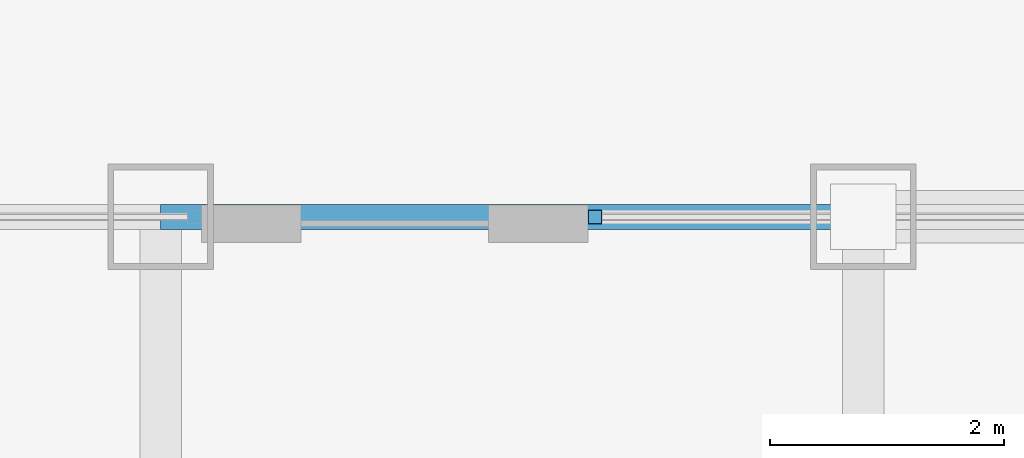
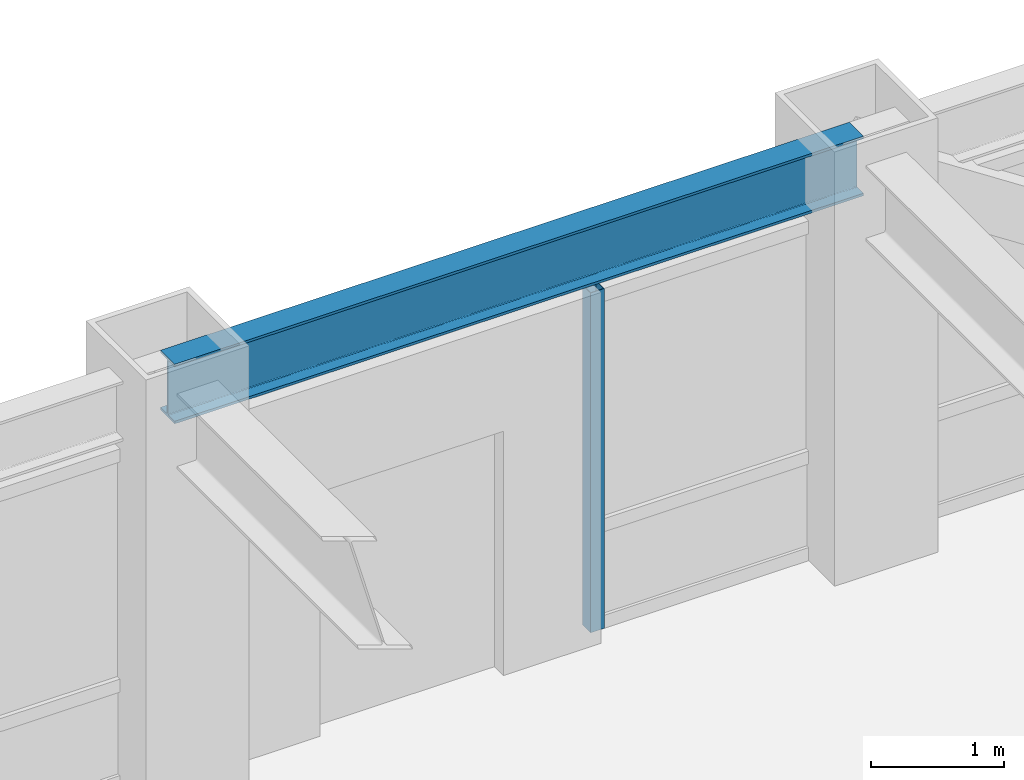
# One storey, part 20 of 32: 1 beam, 1 member, 1 element without a shape of its own.
"""IFC4 building model written with IfcOpenShell, lengths in metres."""

from ifc_helpers import new_model, si_unit, direction, frame, origin, origin_2d, place, context, subcontext, project, spatial, hollow_rectangle, i_section, extrude, source, transform, mapped, material, material_profile, profile_set, type_object, element, aggregate, save


model = new_model("IFC4")

# Units and contexts
model_context = context("Model", 3, precision=1e-05, world=origin(), true_north=direction((0.0, 1.0)))
body_context = subcontext(model_context, "Body", "Model", "MODEL_VIEW")
ifc_project = project(units=[si_unit("LENGTHUNIT", "METRE"), si_unit("AREAUNIT", "SQUARE_METRE"), si_unit("VOLUMEUNIT", "CUBIC_METRE"), si_unit("PLANEANGLEUNIT", "RADIAN"), si_unit("MASSUNIT", "GRAM", prefix="KILO")], contexts=[model_context])

# Site, building, storey
site_placement = place(None, origin())
site = spatial("IfcSite", under=ifc_project, at=site_placement, CompositionType="ELEMENT")
building_placement = place(site_placement, origin())
building = spatial("IfcBuilding", under=site, at=building_placement, Name="Khorayat Bourse Tower", CompositionType="ELEMENT")
storey_placement = place(building_placement, frame((0.0, 0.0, 273.5)))
storey = spatial("IfcBuildingStorey", under=building, at=storey_placement, Name="L64", CompositionType="ELEMENT", Elevation=273.5)

# Beam
ifc_material_1 = material(Name="Steel ASTM A992 Grade 50", Category="steel")
ifc_material_profile_1 = material_profile(ifc_material_1, i_section(OverallWidth=0.214111328125, OverallDepth=0.549072265625, WebThickness=0.0146484375, FlangeThickness=0.023681640625, FilletRadius=0.013916015625, at=origin_2d()), Name="W530X138")
ifc_profile_set_1 = profile_set([ifc_material_profile_1], Name="Steel ASTM A992 Grade 50")
beam_type = type_object("IfcBeamType", Name="BM-SPAN-530", PredefinedType="SPANDREL", material=ifc_profile_set_1)
shared_shape_1 = source(origin(), body_context, "Body", "SweptSolid", [
    extrude(i_section(OverallWidth=0.214111328125, OverallDepth=0.549072265625, WebThickness=0.0146484375, FlangeThickness=0.023681640625, FilletRadius=0.013916015625, at=origin_2d()), origin(), (0.0, 0.0, 1.0), 6.0),
])
beam_placement = place(storey_placement, frame((0.0, 28.0, 3.505615234375), z_axis=(1.0, 0.0, 0.0), x_axis=(0.0, 1.0, 0.0)))
element("IfcBeam", 1, at=beam_placement, inside=storey, type_object=beam_type, Name="L64 BM-SPAN-530 BM-L64-SPN-047", PredefinedType="SPANDREL", context=body_context, shape_type="MappedRepresentation", body=[
    mapped(shared_shape_1, transform((0.0, 0.0, 0.0), scale=1.0)),
])

# Curtain wall, member
ifc_material_2 = material(Name="Aluminium EN AW-6063 T6", Category="aluminium")
curtain_wall_type = type_object("IfcCurtainWallType", Name="CW-SYS-04", PredefinedType="NOTDEFINED", material=ifc_material_2)
curtain_wall_placement = place(storey_placement, origin())
curtain_wall = element("IfcCurtainWall", 2, at=curtain_wall_placement, inside=storey, type_object=curtain_wall_type, Name="L64 Curtain Wall CW-L64-N2", PredefinedType="NOTDEFINED")
ifc_material_profile_2 = material_profile(ifc_material_2, hollow_rectangle(XDim=0.1201171875, YDim=0.1201171875, WallThickness=0.0048828125, at=origin_2d()), Name="ALU 120x120x5")
ifc_profile_set_2 = profile_set([ifc_material_profile_2], Name="Aluminium EN AW-6063 T6")
member_type = type_object("IfcMemberType", Name="CWM-VERT-120", PredefinedType="MULLION", material=ifc_profile_set_2)
shared_shape_2 = source(origin(), body_context, "Body", "SweptSolid", [
    extrude(hollow_rectangle(XDim=0.1201171875, YDim=0.1201171875, WallThickness=0.0048828125, at=origin_2d()), origin(), (0.0, 0.0, 1.0), 3.1298828125),
])
member_placement = place(storey_placement, frame((3.7099609375, 28.0, 0.0), z_axis=(0.0, 0.0, 1.0), x_axis=(0.0, 1.0, 0.0)))
member = element("IfcMember", 3, at=member_placement, type_object=member_type, Name="CW-L64-N2 Vertical Mullion 1", PredefinedType="MULLION", context=body_context, shape_type="MappedRepresentation", body=[
    mapped(shared_shape_2, transform((0.0, 0.0, 0.0), scale=1.0)),
])
aggregate(curtain_wall, [member])

save(model, "model.ifc")
